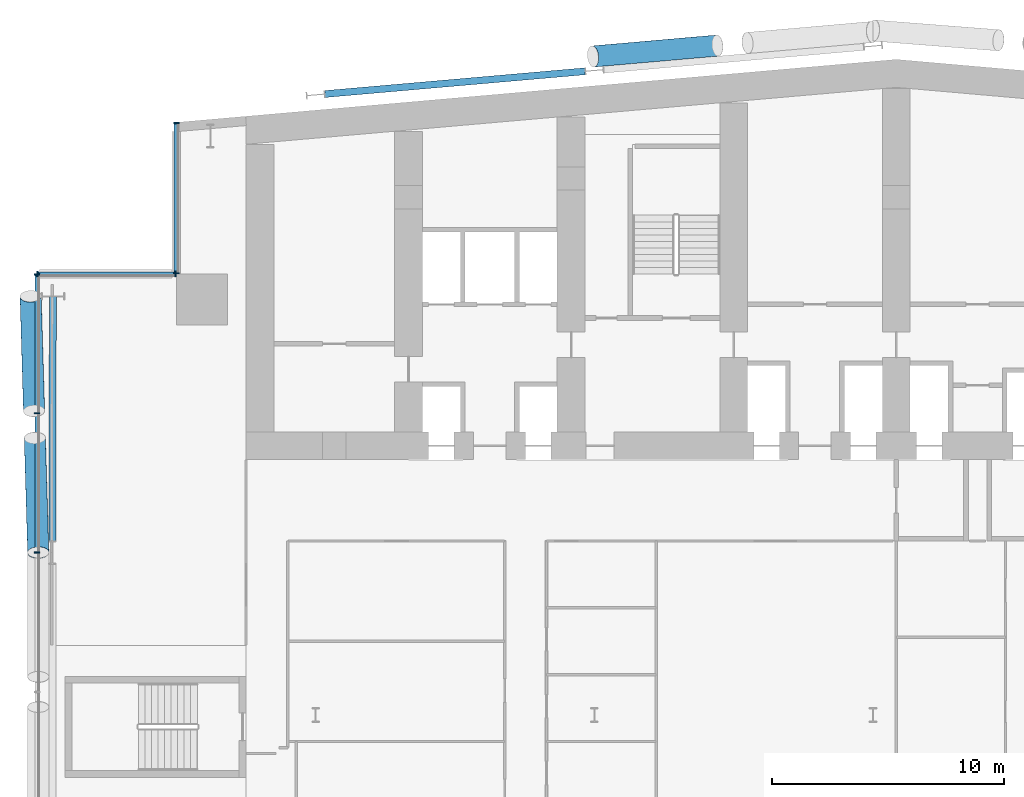
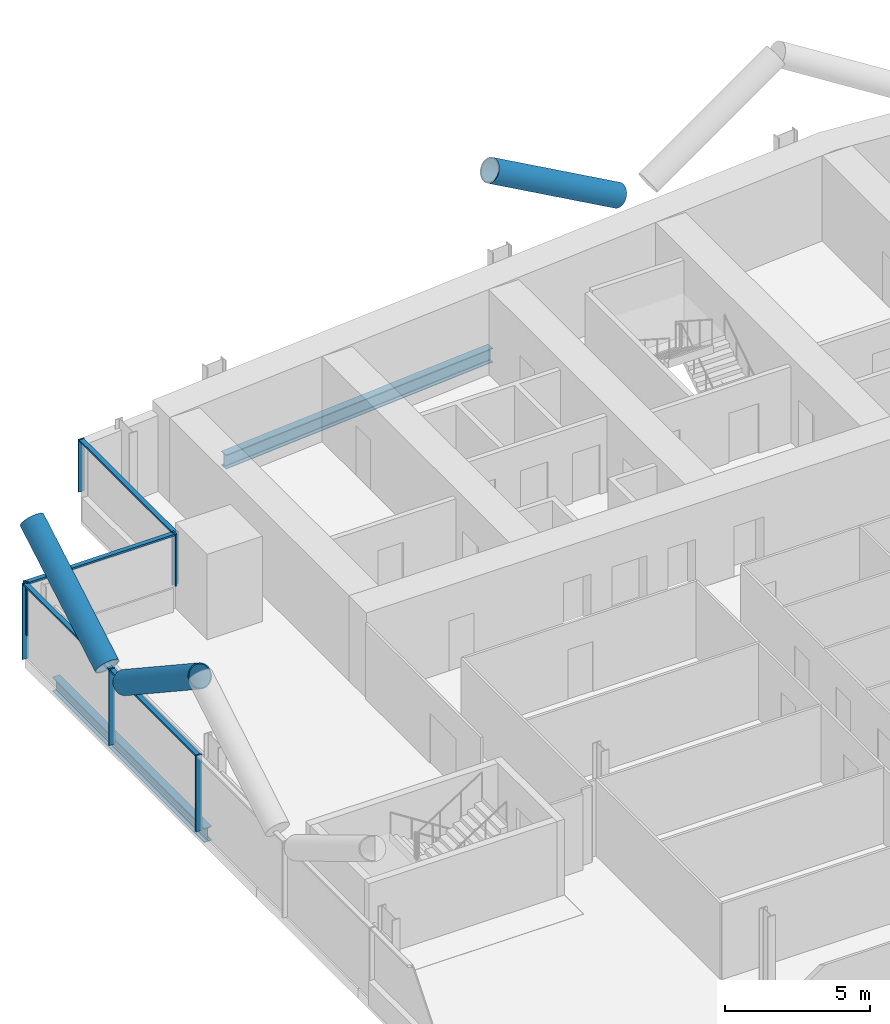
# One storey, part 7 of 27: 14 members, 2 beams, 3 elements without a shape of their own.
"""IFC4 building model written with IfcOpenShell, lengths in metres."""

from ifc_helpers import new_model, si_unit, direction, frame, origin, origin_2d, place, context, subcontext, project, spatial, rectangle, hollow_circle, i_section, extrude, material, material_profile, profile_set, type_object, element, aggregate, save


model = new_model("IFC4")

# Units and contexts
model_context = context("Model", 3, precision=1e-05, world=origin(), true_north=direction((0.0, 1.0)))
body_context = subcontext(model_context, "Body", "Model", "MODEL_VIEW")
ifc_project = project(units=[si_unit("LENGTHUNIT", "METRE"), si_unit("AREAUNIT", "SQUARE_METRE"), si_unit("VOLUMEUNIT", "CUBIC_METRE"), si_unit("PLANEANGLEUNIT", "RADIAN"), si_unit("MASSUNIT", "GRAM", prefix="KILO")], contexts=[model_context])

# Site, building, storey
site_placement = place(None, origin())
site = spatial("IfcSite", under=ifc_project, at=site_placement, CompositionType="ELEMENT")
building_placement = place(site_placement, origin())
building = spatial("IfcBuilding", under=site, at=building_placement, Name="Wharfspan Tower", CompositionType="ELEMENT")
storey_placement = place(building_placement, frame((0.0, 0.0, 77.5)))
storey = spatial("IfcBuildingStorey", under=building, at=storey_placement, Name="L16", CompositionType="ELEMENT", Elevation=77.5)

# Beams
ifc_material_1 = material(Name="Steel S355J2", Category="steel")
ifc_material_profile_1 = material_profile(ifc_material_1, i_section(OverallWidth=0.300049, OverallDepth=0.600098, WebThickness=0.015381, FlangeThickness=0.030029, FilletRadius=0.0271, at=origin_2d()))
ifc_profile_set_1 = profile_set([ifc_material_profile_1], Name="Steel S355J2")
beam_type = type_object("IfcBeamType", Name="Edge beam HEB 600", PredefinedType="SPANDREL", material=ifc_profile_set_1)
beam_1_placement = place(storey_placement, frame((23.598633, 50.724609, -0.699951), z_axis=(-0.996194, -0.087165, 0.0), x_axis=(0.087165, -0.996194, 0.0)))
element("IfcBeam", 1, at=beam_1_placement, inside=storey, type_object=beam_type, Name="Edge beam N1 L16 R.2 to R.1", PredefinedType="SPANDREL", context=body_context, shape_type="SweptSolid", body=[
    extrude(i_section(OverallWidth=0.300049, OverallDepth=0.600098, WebThickness=0.015381, FlangeThickness=0.030029, FilletRadius=0.0271, at=origin_2d()), origin(), (0.0, 0.0, 1.0), 11.23999),
])
beam_2_placement = place(storey_placement, frame((0.684814, 41.027832, -0.699951), z_axis=(-0.002249, -0.999997, 0.0), x_axis=(0.999997, -0.002249, 0.0)))
element("IfcBeam", 2, at=beam_2_placement, inside=storey, type_object=beam_type, Name="Edge beam W L16 PNRW-H.1 to PW.1", PredefinedType="SPANDREL", context=body_context, shape_type="SweptSolid", body=[
    extrude(i_section(OverallWidth=0.300049, OverallDepth=0.600098, WebThickness=0.015381, FlangeThickness=0.030029, FilletRadius=0.0271, at=origin_2d()), origin(), (0.0, 0.0, 1.0), 10.527832),
])

# Curtain wall, members
ifc_material_2 = material(Name="Aluminium 6063-T6", Category="aluminium")
curtain_wall_type = type_object("IfcCurtainWallType", Name="CURTAIN WALL PROW AND END", PredefinedType="NOTDEFINED", material=ifc_material_2)
curtain_wall_1_placement = place(storey_placement, origin())
curtain_wall_1 = element("IfcCurtainWall", 3, at=curtain_wall_1_placement, inside=storey, type_object=curtain_wall_type, Name="Curtain wall NRW-V", PredefinedType="NOTDEFINED")
ifc_material_profile_2 = material_profile(ifc_material_2, rectangle(XDim=0.23999, YDim=0.060059, at=origin_2d()))
ifc_profile_set_2 = profile_set([ifc_material_profile_2], Name="Aluminium 6063-T6")
member_type_1 = type_object("IfcMemberType", Name="MULLION PROW AND END 60x240", PredefinedType="MULLION", material=ifc_profile_set_2)
member_1_placement = place(storey_placement, frame((6.0, 48.494873, 1.0), z_axis=(0.0, 0.0, 1.0), x_axis=(1.0, 0.0, 0.0)))
member_1 = element("IfcMember", 4, at=member_1_placement, type_object=member_type_1, Name="Curtain wall NRW-V mullion 1", PredefinedType="MULLION", context=body_context, shape_type="SweptSolid", body=[
    extrude(rectangle(XDim=0.23999, YDim=0.060059, at=origin_2d()), origin(), (0.0, 0.0, 1.0), 2.199951),
])
member_2_placement = place(storey_placement, frame((6.0, 42.030029, 1.0), z_axis=(0.0, 0.0, 1.0), x_axis=(1.0, 0.0, 0.0)))
member_2 = element("IfcMember", 5, at=member_2_placement, type_object=member_type_1, Name="Curtain wall NRW-V mullion 2", PredefinedType="MULLION", context=body_context, shape_type="SweptSolid", body=[
    extrude(rectangle(XDim=0.23999, YDim=0.060059, at=origin_2d()), origin(), (0.0, 0.0, 1.0), 2.199951),
])

curtain_wall_2_placement = place(storey_placement, origin())
curtain_wall_2 = element("IfcCurtainWall", 6, at=curtain_wall_2_placement, inside=storey, type_object=curtain_wall_type, Name="Curtain wall NRW-H", PredefinedType="NOTDEFINED")
member_3_placement = place(storey_placement, frame((5.969971, 42.0, 1.0), z_axis=(0.0, 0.0, 1.0), x_axis=(0.0, -1.0, 0.0)))
member_3 = element("IfcMember", 7, at=member_3_placement, type_object=member_type_1, Name="Curtain wall NRW-H mullion 1", PredefinedType="MULLION", context=body_context, shape_type="SweptSolid", body=[
    extrude(rectangle(XDim=0.23999, YDim=0.060059, at=origin_2d()), origin(), (0.0, 0.0, 1.0), 2.199951),
])
member_4_placement = place(storey_placement, frame((0.030029, 42.0, 1.0), z_axis=(0.0, 0.0, 1.0), x_axis=(0.0, -1.0, 0.0)))
member_4 = element("IfcMember", 8, at=member_4_placement, type_object=member_type_1, Name="Curtain wall NRW-H mullion 2", PredefinedType="MULLION", context=body_context, shape_type="SweptSolid", body=[
    extrude(rectangle(XDim=0.23999, YDim=0.060059, at=origin_2d()), origin(), (0.0, 0.0, 1.0), 2.199951),
])

curtain_wall_3_placement = place(storey_placement, origin())
curtain_wall_3 = element("IfcCurtainWall", 9, at=curtain_wall_3_placement, inside=storey, type_object=curtain_wall_type, Name="Curtain wall W", PredefinedType="NOTDEFINED")
member_5_placement = place(storey_placement, frame((0.0, 41.969971, 0.0), z_axis=(0.0, 0.0, 1.0), x_axis=(1.0, 0.0, 0.0)))
member_5 = element("IfcMember", 10, at=member_5_placement, type_object=member_type_1, Name="Curtain wall W mullion 1", PredefinedType="MULLION", context=body_context, shape_type="SweptSolid", body=[
    extrude(rectangle(XDim=0.23999, YDim=0.060059, at=origin_2d()), origin(), (0.0, 0.0, 1.0), 3.199951),
])
member_6_placement = place(storey_placement, frame((0.0, 36.0, 0.0), z_axis=(0.0, 0.0, 1.0), x_axis=(1.0, 0.0, 0.0)))
member_6 = element("IfcMember", 11, at=member_6_placement, type_object=member_type_1, Name="Curtain wall W mullion 2", PredefinedType="MULLION", context=body_context, shape_type="SweptSolid", body=[
    extrude(rectangle(XDim=0.23999, YDim=0.060059, at=origin_2d()), origin(), (0.0, 0.0, 1.0), 3.199951),
])
member_7_placement = place(storey_placement, frame((0.0, 30.0, 0.0), z_axis=(0.0, 0.0, 1.0), x_axis=(1.0, 0.0, 0.0)))
member_7 = element("IfcMember", 12, at=member_7_placement, type_object=member_type_1, Name="Curtain wall W mullion 3", PredefinedType="MULLION", context=body_context, shape_type="SweptSolid", body=[
    extrude(rectangle(XDim=0.23999, YDim=0.060059, at=origin_2d()), origin(), (0.0, 0.0, 1.0), 3.199951),
])

# Members
ifc_material_3 = material(Name="Steel S460NH", Category="steel")
ifc_material_profile_3 = material_profile(ifc_material_3, hollow_circle(Radius=0.457031, WallThickness=0.040039, at=origin_2d()))
ifc_profile_set_3 = profile_set([ifc_material_profile_3], Name="Steel S460NH")
member_type_2 = type_object("IfcMemberType", Name="Mega brace CHS 914x40", PredefinedType="BRACE", material=ifc_profile_set_3)
for number, where, z_axis, x_axis, name in (
    (13, (-0.091797, 34.933594, 3.280762), (0.0249, -0.837221, 0.546298), (0.999556, 0.02973, 3e-06), "Mega brace W4 L16 part 2"),
    (14, (-0.126465, 36.100586, 3.280762), (-0.0249, 0.837221, 0.546298), (-0.999556, -0.02973, 3e-06), "Mega brace W4 L16 part 4"),
):
    element("IfcMember", number, at=place(storey_placement, frame(where, z_axis=z_axis, x_axis=x_axis)), inside=storey, type_object=member_type_2, Name=name, PredefinedType="BRACE", context=body_context, shape_type="SweptSolid", body=[
        extrude(hollow_circle(Radius=0.457031, WallThickness=0.040039, at=origin_2d()), origin(), (0.0, 0.0, 1.0), 5.892822),
    ])
member_8_placement = place(storey_placement, frame((29.296875, 51.831055, 3.290283), z_axis=(-0.855094, -0.074809, 0.513048), x_axis=(0.087154, -0.996195, 1e-06)))
element("IfcMember", 15, at=member_8_placement, inside=storey, type_object=member_type_2, Name="Mega brace N7 L16 part 4", PredefinedType="BRACE", context=body_context, shape_type="SweptSolid", body=[
    extrude(hollow_circle(Radius=0.457031, WallThickness=0.040039, at=origin_2d()), origin(), (0.0, 0.0, 1.0), 6.256104),
])

# Member
ifc_material_profile_4 = material_profile(ifc_material_2, rectangle(XDim=0.179932, YDim=0.080078, at=origin_2d()))
ifc_profile_set_4 = profile_set([ifc_material_profile_4], Name="Aluminium 6063-T6")
member_type_3 = type_object("IfcMemberType", Name="TRANSOM PROW AND END 80x180", PredefinedType="USERDEFINED", material=ifc_profile_set_4)
member_9_placement = place(storey_placement, frame((6.0, 48.464844, 3.159912), z_axis=(0.0, -1.0, 0.0), x_axis=(1.0, 0.0, 0.0)))
member_9 = element("IfcMember", 16, at=member_9_placement, type_object=member_type_3, Name="Curtain wall NRW-V transom 1", ObjectType="TRANSOM", PredefinedType="USERDEFINED", context=body_context, shape_type="SweptSolid", body=[
    extrude(rectangle(XDim=0.179932, YDim=0.080078, at=origin_2d()), origin(), (0.0, 0.0, 1.0), 6.404785),
])

aggregate(curtain_wall_1, [member_1, member_2, member_9])

member_10_placement = place(storey_placement, frame((5.939941, 42.0, 3.159912), z_axis=(-1.0, 0.0, 0.0), x_axis=(0.0, -1.0, 0.0)))
member_10 = element("IfcMember", 17, at=member_10_placement, type_object=member_type_3, Name="Curtain wall NRW-H transom 1", ObjectType="TRANSOM", PredefinedType="USERDEFINED", context=body_context, shape_type="SweptSolid", body=[
    extrude(rectangle(XDim=0.179932, YDim=0.080078, at=origin_2d()), origin(), (0.0, 0.0, 1.0), 5.879883),
])

aggregate(curtain_wall_2, [member_3, member_4, member_10])

member_11_placement = place(storey_placement, frame((0.0, 41.939941, 3.159912), z_axis=(0.0, -1.0, 0.0), x_axis=(1.0, 0.0, 0.0)))
member_11 = element("IfcMember", 18, at=member_11_placement, type_object=member_type_3, Name="Curtain wall W transom 1", ObjectType="TRANSOM", PredefinedType="USERDEFINED", context=body_context, shape_type="SweptSolid", body=[
    extrude(rectangle(XDim=0.179932, YDim=0.080078, at=origin_2d()), origin(), (0.0, 0.0, 1.0), 5.909912),
])

member_12_placement = place(storey_placement, frame((0.0, 35.969971, 3.159912), z_axis=(0.0, -1.0, 0.0), x_axis=(1.0, 0.0, 0.0)))
member_12 = element("IfcMember", 19, at=member_12_placement, type_object=member_type_3, Name="Curtain wall W transom 2", ObjectType="TRANSOM", PredefinedType="USERDEFINED", context=body_context, shape_type="SweptSolid", body=[
    extrude(rectangle(XDim=0.179932, YDim=0.080078, at=origin_2d()), origin(), (0.0, 0.0, 1.0), 5.939941),
])

aggregate(curtain_wall_3, [member_5, member_6, member_7, member_11, member_12])

save(model, "model.ifc")
